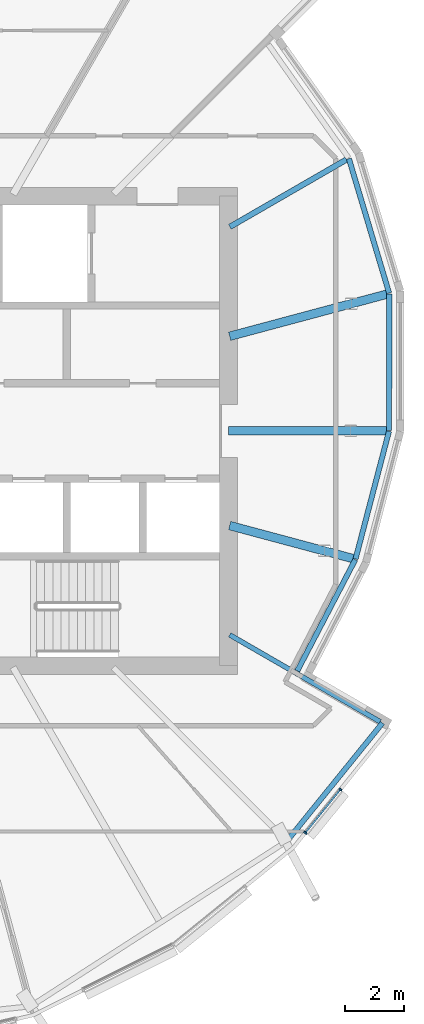
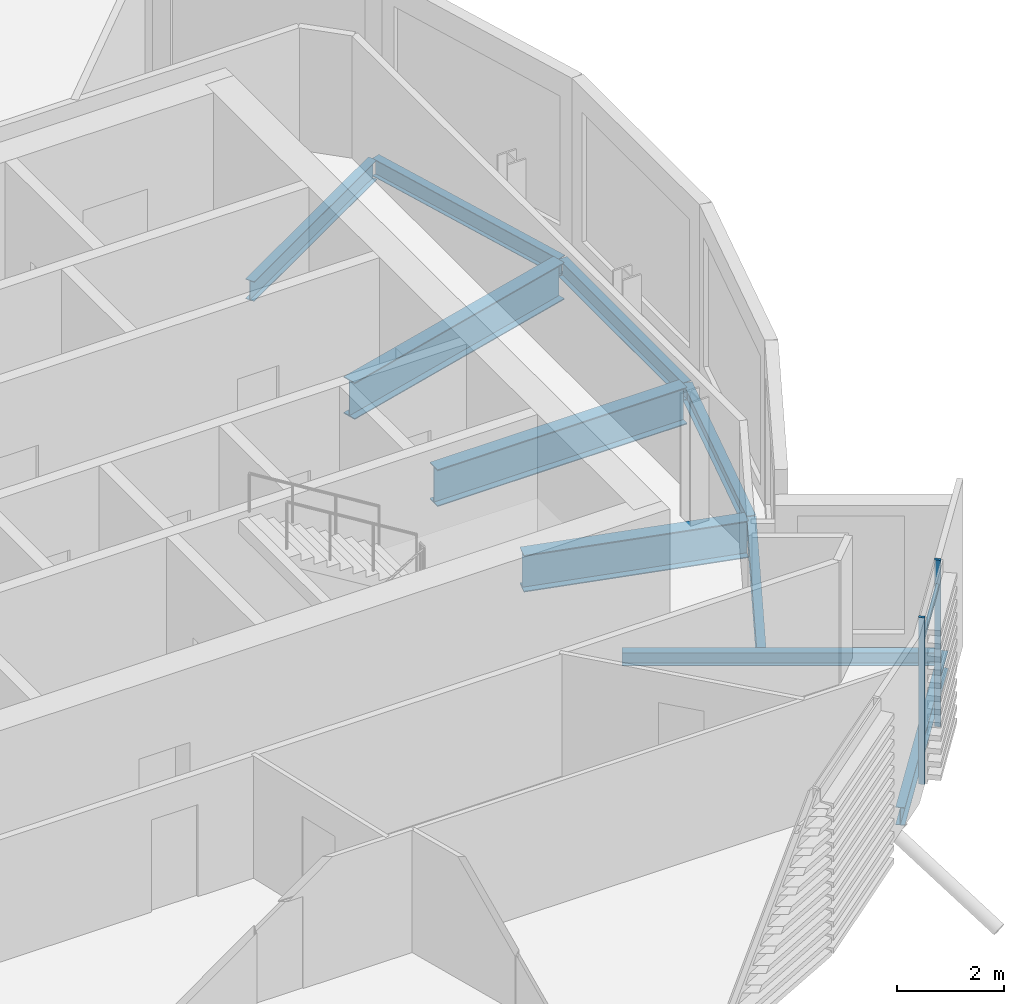
# One storey, part 15 of 37: 10 beams, 3 members, 1 element without a shape of its own.
"""IFC4 building model written with IfcOpenShell, lengths in metres."""

import ifcopenshell
import ifcopenshell.guid

model = None  # the IFC model being written
_history = None  # IfcOwnerHistory: only IFC2X3 demands one
_inside = {}  # id of a spatial element -> (the spatial element, [elements in it])
_under = {}  # id of a project, library or spatial element -> (it, [spatial elements below it])
_declared = {}  # id of a project -> (the project, [libraries it declares])
_typed = {}  # id of a type object -> (the type object, [elements of that type])
_made_of = {}  # id of a material, layer set ... -> (it, [elements and type objects made of it])


def new_model(schema):
    """Start an empty IFC model of exactly this schema.

    Asked for "IFC4X3", IfcOpenShell would pick the latest addendum, in which some entities
    have other attributes; the version numbers below select the first issue.
    IFC2X3 requires an IfcOwnerHistory on every rooted entity: one is made here for all.
    """
    global model, _history
    if schema == "IFC4X3":
        model = ifcopenshell.file(schema_version=(4, 3, 0, 0))
    else:
        model = ifcopenshell.file(schema=schema)
    _inside.clear()
    _under.clear()
    _declared.clear()
    _typed.clear()
    _made_of.clear()
    _history = None
    if model.schema == "IFC2X3":
        org = make("IfcOrganization", Name="unknown")
        user = make(
            "IfcPersonAndOrganization",
            ThePerson=make("IfcPerson", FamilyName="unknown"),
            TheOrganization=org,
        )
        app = make(
            "IfcApplication",
            ApplicationDeveloper=org,
            Version="unknown",
            ApplicationFullName="unknown",
            ApplicationIdentifier="unknown",
        )
        _history = make(
            "IfcOwnerHistory",
            OwningUser=user,
            OwningApplication=app,
            ChangeAction="ADDED",
            CreationDate=0,
        )
    return model


def make(cls, **values):
    """One entity of the class cls with the attributes given. An attribute that is None is left unset."""
    return model.create_entity(
        cls, **{name: value for name, value in values.items() if value is not None}
    )


def rooted(cls, **values):
    """An entity with a GlobalId (a new one), such as an element, a storey or a relation."""
    return make(cls, GlobalId=ifcopenshell.guid.new(), OwnerHistory=_history, **values)


def si_unit(unit_type, name, prefix=None):
    """IfcSIUnit, for example si_unit("LENGTHUNIT", "METRE", prefix="MILLI")."""
    return make("IfcSIUnit", UnitType=unit_type, Prefix=prefix, Name=name)


def assignment(units):
    """IfcUnitAssignment: the units of a project."""
    return None if units is None else make("IfcUnitAssignment", Units=units)


def point(xyz):
    """IfcCartesianPoint."""
    return None if xyz is None else make("IfcCartesianPoint", Coordinates=xyz)


def direction(xyz):
    """IfcDirection."""
    return None if xyz is None else make("IfcDirection", DirectionRatios=xyz)


def frame(location, z_axis=None, x_axis=None):
    """IfcAxis2Placement3D, a coordinate frame: its origin and axes. An axis left out is left unset."""
    return make(
        "IfcAxis2Placement3D",
        Location=point(location),
        Axis=direction(z_axis),
        RefDirection=direction(x_axis),
    )


def frame_2d(location, x_axis=None):
    """IfcAxis2Placement2D, a coordinate frame in the plane: its origin and x axis."""
    return make(
        "IfcAxis2Placement2D", Location=point(location), RefDirection=direction(x_axis)
    )


def origin():
    """The frame at (0, 0, 0) with its axes left unset."""
    return frame((0.0, 0.0, 0.0))


def origin_2d():
    """The frame at (0, 0) in the plane with its x axis left unset."""
    return frame_2d((0.0, 0.0))


def place(relative_to, where):
    """IfcLocalPlacement: puts the frame where relative to a parent placement (None: the world)."""
    return make(
        "IfcLocalPlacement", PlacementRelTo=relative_to, RelativePlacement=where
    )


def context(
    kind, dimensions, precision=None, world=None, true_north=None, identifier=None
):
    """IfcGeometricRepresentationContext, for example the 3D "Model" context."""
    return make(
        "IfcGeometricRepresentationContext",
        ContextIdentifier=identifier,
        ContextType=kind,
        CoordinateSpaceDimension=dimensions,
        Precision=precision,
        WorldCoordinateSystem=world,
        TrueNorth=true_north,
    )


def subcontext(parent, identifier, kind, view, scale=None):
    """IfcGeometricRepresentationSubContext, for example "Body" below "Model"."""
    return make(
        "IfcGeometricRepresentationSubContext",
        ContextIdentifier=identifier,
        ContextType=kind,
        ParentContext=parent,
        TargetScale=scale,
        TargetView=view,
    )


def project(units=None, contexts=None):
    """IfcProject with its units and contexts."""
    return rooted(
        "IfcProject",
        Name="project",
        RepresentationContexts=contexts,
        UnitsInContext=assignment(units),
    )


def spatial(cls, under=None, at=None, **own):
    """A site, building, storey or space (cls), placed at a placement, below another one or the project."""
    s = rooted(cls, ObjectPlacement=at, **own)
    if under is not None:
        _under.setdefault(under.id(), (under, []))[1].append(s)
    return s


def profile(cls, at=None, kind="AREA", **sizes):
    """A parametric profile (cls). Its sizes go by their IFC names, for example OverallWidth=200.0."""
    return make(cls, ProfileType=kind, Position=at, **sizes)


def rectangle(**sizes):
    """IfcRectangleProfileDef."""
    return profile("IfcRectangleProfileDef", **sizes)


def i_section(**sizes):
    """IfcIShapeProfileDef."""
    return profile("IfcIShapeProfileDef", **sizes)


def extrude(swept, where, along, depth):
    """IfcExtrudedAreaSolid: the profile swept, set in the frame where, extruded along a direction by depth."""
    return make(
        "IfcExtrudedAreaSolid",
        SweptArea=swept,
        Position=where,
        ExtrudedDirection=direction(along),
        Depth=depth,
    )


def shape(context_of_items, identifier, shape_type, items):
    """IfcShapeRepresentation: the items that make up one representation, for example the "Body"."""
    return make(
        "IfcShapeRepresentation",
        ContextOfItems=context_of_items,
        RepresentationIdentifier=identifier,
        RepresentationType=shape_type,
        Items=items,
    )


def material(Name=None, Category=None):
    """IfcMaterial."""
    return make("IfcMaterial", Name=Name, Category=Category)


def material_profile(
    of_material, cross_section, Name=None, Category=None, Priority=None
):
    """IfcMaterialProfile: a cross section and its material."""
    return make(
        "IfcMaterialProfile",
        Name=Name,
        Material=of_material,
        Profile=cross_section,
        Priority=Priority,
        Category=Category,
    )


def profile_set(profiles, Name=None, composite=None):
    """IfcMaterialProfileSet."""
    return make(
        "IfcMaterialProfileSet",
        Name=Name,
        MaterialProfiles=profiles,
        CompositeProfile=composite,
    )


def made_of(thing, what):
    """Note that an element or type object is made of a material, layer set ...; save() writes the relation."""
    if what is not None:
        _made_of.setdefault(what.id(), (what, []))[1].append(thing)
    return thing


def type_object(cls, material=None, **own):
    """A type object (cls), such as IfcWallType, which elements share."""
    return made_of(rooted(cls, **own), material)


def element(
    cls,
    number,
    at=None,
    inside=None,
    cuts=None,
    type_object=None,
    material=None,
    context=None,
    identifier="Body",
    shape_type=None,
    held_by="IfcProductDefinitionShape",
    body=None,
    shapes=None,
    **own,
):
    """One element of the class cls, such as IfcWall. Its Tag is "e" and its number.

    at: its placement. inside: the storey or other place that contains it. cuts: it is an
    opening in that element (IfcRelVoidsElement). A single representation is given by context,
    identifier, shape_type and body (its items); several are given by shapes. held_by: the class
    of the entity that holds the representations. save() writes the other relations.
    """
    e = rooted(cls, Tag="e%d" % number, ObjectPlacement=at, **own)
    if body is not None:
        shapes = [shape(context, identifier, shape_type, body)]
    if shapes is not None:
        e.Representation = make(held_by, Representations=shapes)
    if inside is not None:
        _inside.setdefault(inside.id(), (inside, []))[1].append(e)
    if cuts is not None:
        rooted(
            "IfcRelVoidsElement", RelatingBuildingElement=cuts, RelatedOpeningElement=e
        )
    if type_object is not None:
        _typed.setdefault(type_object.id(), (type_object, []))[1].append(e)
    return made_of(e, material)


def aggregate(whole, parts):
    """IfcRelAggregates: a whole, such as a stair, and the parts it consists of."""
    return rooted("IfcRelAggregates", RelatingObject=whole, RelatedObjects=parts)


def save(model, path):
    """Write the relations noted so far, then the file.

    IfcRelAggregates (storeys below a building ...), IfcRelContainedInSpatialStructure (elements
    in a storey), IfcRelDefinesByType, IfcRelAssociatesMaterial and IfcRelDeclares: one each for
    every whole, place, type object, material and project.
    """
    for whole, parts in _under.values():
        aggregate(whole, parts)
    for where, things in _inside.values():
        rooted(
            "IfcRelContainedInSpatialStructure",
            RelatedElements=things,
            RelatingStructure=where,
        )
    for kind, things in _typed.values():
        rooted("IfcRelDefinesByType", RelatedObjects=things, RelatingType=kind)
    for what, things in _made_of.values():
        rooted("IfcRelAssociatesMaterial", RelatedObjects=things, RelatingMaterial=what)
    for by, libraries in _declared.values():
        rooted("IfcRelDeclares", RelatingContext=by, RelatedDefinitions=libraries)
    model.write(path)


model = new_model("IFC4")

# Units and contexts
model_context = context("Model", 3, precision=1e-05, world=origin(), true_north=direction((0.0, 1.0)))
body_context = subcontext(model_context, "Body", "Model", "MODEL_VIEW")
ifc_project = project(units=[si_unit("LENGTHUNIT", "METRE"), si_unit("AREAUNIT", "SQUARE_METRE"), si_unit("VOLUMEUNIT", "CUBIC_METRE"), si_unit("PLANEANGLEUNIT", "RADIAN"), si_unit("MASSUNIT", "GRAM", prefix="KILO")], contexts=[model_context])

# Site, building, storey
site_placement = place(None, origin())
site = spatial("IfcSite", under=ifc_project, at=site_placement, CompositionType="ELEMENT")
building_placement = place(site_placement, origin())
building = spatial("IfcBuilding", under=site, at=building_placement, Name="Rimbun Link Towers", CompositionType="ELEMENT")
storey_placement = place(building_placement, frame((0.0, 0.0, 162.699951171875)))
storey = spatial("IfcBuildingStorey", under=building, at=storey_placement, Name="L39", CompositionType="ELEMENT", Elevation=162.699951171875)

# Curtain wall, members
ifc_material_1 = material(Name="Aluminium 6063-T6 and low-iron glass", Category="aluminium")
curtain_wall_type = type_object("IfcCurtainWallType", Name="CW1-Z3 unitised vision wall (zone 3)", PredefinedType="NOTDEFINED", material=ifc_material_1)
curtain_wall_placement = place(storey_placement, origin())
curtain_wall = element("IfcCurtainWall", 1, at=curtain_wall_placement, inside=storey, type_object=curtain_wall_type, Name="CW1 L39 T2", PredefinedType="NOTDEFINED")
ifc_material_2 = material(Name="Aluminium 6063-T6", Category="aluminium")
ifc_material_profile_1 = material_profile(ifc_material_2, rectangle(XDim=0.1201171875, YDim=0.06005859375, at=origin_2d()), Name="MULLION 60X120")
ifc_profile_set_1 = profile_set([ifc_material_profile_1], Name="Aluminium 6063-T6")
member_type_1 = type_object("IfcMemberType", Name="CW1 mullion 60X120", PredefinedType="MULLION", material=ifc_profile_set_1)
member_1_placement = place(storey_placement, frame((47.565185546875, -12.22119140625, 0.0), z_axis=(0.0, 0.0, 1.0), x_axis=(0.777268827061, -0.629168634373, 0.0)))
member_1 = element("IfcMember", 2, at=member_1_placement, type_object=member_type_1, Name="CW1 mullion", PredefinedType="MULLION", context=body_context, shape_type="SweptSolid", body=[
    extrude(rectangle(XDim=0.1201171875, YDim=0.06005859375, at=origin_2d()), origin(), (0.0, 0.0, 1.0), 3.800048828125),
])
member_2_placement = place(storey_placement, frame((46.370361328125, -13.697265625, 0.0), z_axis=(0.0, 0.0, 1.0), x_axis=(0.777268827061, -0.629168634373, 0.0)))
member_2 = element("IfcMember", 3, at=member_2_placement, type_object=member_type_1, Name="CW1 mullion", PredefinedType="MULLION", context=body_context, shape_type="SweptSolid", body=[
    extrude(rectangle(XDim=0.1201171875, YDim=0.06005859375, at=origin_2d()), origin(), (0.0, 0.0, 1.0), 3.800048828125),
])
ifc_material_3 = material(Name="Aluminium 6063-T6", Category="aluminium")
ifc_material_profile_2 = material_profile(ifc_material_3, rectangle(XDim=0.06005859375, YDim=0.1201171875, at=origin_2d()), Name="TRANSOM 60X120")
ifc_profile_set_2 = profile_set([ifc_material_profile_2], Name="Aluminium 6063-T6")
member_type_2 = type_object("IfcMemberType", Name="CW1 transom 60X120", PredefinedType="USERDEFINED", material=ifc_profile_set_2)
member_3_placement = place(storey_placement, frame((47.544921875, -12.2431640625, 3.199951171875), z_axis=(-0.629152407562, -0.777281961748, 0.0), x_axis=(0.777281961748, -0.629152407562, 0.0)))
member_3 = element("IfcMember", 4, at=member_3_placement, type_object=member_type_2, Name="CW1 transom", ObjectType="TRANSOM", PredefinedType="USERDEFINED", context=body_context, shape_type="SweptSolid", body=[
    extrude(rectangle(XDim=0.06005859375, YDim=0.1201171875, at=origin_2d()), origin(), (0.0, 0.0, 1.0), 1.83935546875),
])
aggregate(curtain_wall, [member_1, member_2, member_3])

# Beams
ifc_material_4 = material(Name="Steel S355J2", Category="steel")
ifc_material_profile_3 = material_profile(ifc_material_4, i_section(OverallWidth=0.1650390625, OverallDepth=0.303466796875, WebThickness=0.006103515625, FlangeThickness=0.01025390625, at=origin_2d()), Name="UB 305x165x40")
ifc_profile_set_3 = profile_set([ifc_material_profile_3], Name="Steel S355J2")
beam_type_1 = type_object("IfcBeamType", Name="UB 305x165x40", PredefinedType="BEAM", material=ifc_profile_set_3)
beam_1_placement = place(storey_placement, frame((43.7919921875, -6.952392578125, -0.3017578125), z_axis=(0.86602420747, -0.500002072072, 0.0), x_axis=(0.500002072072, 0.86602420747, 0.0)))
element("IfcBeam", 5, at=beam_1_placement, inside=storey, type_object=beam_type_1, Name="Radial beam T2 L39 19", PredefinedType="BEAM", context=body_context, shape_type="SweptSolid", body=[
    extrude(i_section(OverallWidth=0.1650390625, OverallDepth=0.303466796875, WebThickness=0.006103515625, FlangeThickness=0.01025390625, at=origin_2d()), origin(), (0.0, 0.0, 1.0), 5.92041015625),
])
ifc_material_5 = material(Name="Steel S355J2", Category="steel")
ifc_material_profile_4 = material_profile(ifc_material_5, i_section(OverallWidth=0.177978515625, OverallDepth=0.406494140625, WebThickness=0.0078125, FlangeThickness=0.0126953125, at=origin_2d()), Name="UB 406x178x60")
ifc_profile_set_4 = profile_set([ifc_material_profile_4], Name="Steel S355J2")
beam_type_2 = type_object("IfcBeamType", Name="UB 406x178x60", PredefinedType="BEAM", material=ifc_profile_set_4)
beam_2_placement = place(storey_placement, frame((45.73779296875, -13.986328125, -0.353271484375), z_axis=(0.629144007055, 0.777288761263, 0.0), x_axis=(-0.777288761263, 0.629144007055, 0.0)))
element("IfcBeam", 6, at=beam_2_placement, inside=storey, type_object=beam_type_2, Name="Edge beam T2 L39 18", PredefinedType="BEAM", context=body_context, shape_type="SweptSolid", body=[
    extrude(i_section(OverallWidth=0.177978515625, OverallDepth=0.406494140625, WebThickness=0.0078125, FlangeThickness=0.0126953125, at=origin_2d()), origin(), (0.0, 0.0, 1.0), 5.18115234375),
])
beam_3_placement = place(storey_placement, frame((46.093994140625, -8.1806640625, -0.353271484375), z_axis=(0.462320393807, 0.886712948744, 0.0), x_axis=(-0.886712948744, 0.462320393807, 0.0)))
element("IfcBeam", 7, at=beam_3_placement, inside=storey, type_object=beam_type_2, Name="Edge beam T2 L39 19 recess", PredefinedType="BEAM", context=body_context, shape_type="SweptSolid", body=[
    extrude(i_section(OverallWidth=0.177978515625, OverallDepth=0.406494140625, WebThickness=0.0078125, FlangeThickness=0.0126953125, at=origin_2d()), origin(), (0.0, 0.0, 1.0), 4.280517578125),
])
beam_4_placement = place(storey_placement, frame((48.080810546875, -4.364501953125, -0.353271484375), z_axis=(0.253347301705, 0.967375389763, 0.0), x_axis=(-0.967375389763, 0.253347301705, 0.0)))
element("IfcBeam", 8, at=beam_4_placement, inside=storey, type_object=beam_type_2, Name="Edge beam T2 L39 20 recess", PredefinedType="BEAM", context=body_context, shape_type="SweptSolid", body=[
    extrude(i_section(OverallWidth=0.177978515625, OverallDepth=0.406494140625, WebThickness=0.0078125, FlangeThickness=0.0126953125, at=origin_2d()), origin(), (0.0, 0.0, 1.0), 4.499267578125),
])
beam_5_placement = place(storey_placement, frame((49.223876953125, 0.012451171875, -0.353271484375), z_axis=(0.001205765834, 0.999999273064, 0.0), x_axis=(-0.999999273064, 0.001205765834, 0.0)))
element("IfcBeam", 9, at=beam_5_placement, inside=storey, type_object=beam_type_2, Name="Edge beam T2 L39 21 recess", PredefinedType="BEAM", context=body_context, shape_type="SweptSolid", body=[
    extrude(i_section(OverallWidth=0.177978515625, OverallDepth=0.406494140625, WebThickness=0.0078125, FlangeThickness=0.0126953125, at=origin_2d()), origin(), (0.0, 0.0, 1.0), 4.656982421875),
])
beam_6_placement = place(storey_placement, frame((49.225341796875, 4.697021484375, -0.353271484375), z_axis=(-0.286603367153, 0.95804932542, 0.0), x_axis=(-0.95804932542, -0.286603367153, 0.0)))
element("IfcBeam", 10, at=beam_6_placement, inside=storey, type_object=beam_type_2, Name="Edge beam T2 L39 22 recess", PredefinedType="BEAM", context=body_context, shape_type="SweptSolid", body=[
    extrude(i_section(OverallWidth=0.177978515625, OverallDepth=0.406494140625, WebThickness=0.0078125, FlangeThickness=0.0126953125, at=origin_2d()), origin(), (0.0, 0.0, 1.0), 4.783935546875),
])
ifc_material_6 = material(Name="Steel S355J2", Category="steel")
ifc_material_profile_5 = material_profile(ifc_material_6, i_section(OverallWidth=0.18994140625, OverallDepth=0.453369140625, WebThickness=0.008544921875, FlangeThickness=0.0126953125, at=origin_2d()), Name="UB 457x191x67")
ifc_profile_set_5 = profile_set([ifc_material_profile_5], Name="Steel S355J2")
beam_type_3 = type_object("IfcBeamType", Name="UB 457x191x67", PredefinedType="BEAM", material=ifc_profile_set_5)
beam_7_placement = place(storey_placement, frame((43.79833984375, 6.9560546875, -0.376708984375), z_axis=(0.866034058835, 0.499985008713, 0.0), x_axis=(-0.499985008713, 0.866034058835, 0.0)))
element("IfcBeam", 11, at=beam_7_placement, inside=storey, type_object=beam_type_3, Name="Radial beam T2 L39 23", PredefinedType="BEAM", context=body_context, shape_type="SweptSolid", body=[
    extrude(i_section(OverallWidth=0.18994140625, OverallDepth=0.453369140625, WebThickness=0.008544921875, FlangeThickness=0.0126953125, at=origin_2d()), origin(), (0.0, 0.0, 1.0), 4.588134765625),
])
ifc_material_7 = material(Name="Steel S355J2", Category="steel")
ifc_material_profile_6 = material_profile(ifc_material_7, i_section(OverallWidth=0.29248046875, OverallDepth=0.8408203125, WebThickness=0.0126953125, FlangeThickness=0.021728515625, at=origin_2d()), Name="UB 838x292x194")
ifc_profile_set_6 = profile_set([ifc_material_profile_6], Name="Steel S355J2")
beam_type_4 = type_object("IfcBeamType", Name="UB 838x292x194", PredefinedType="BEAM", material=ifc_profile_set_6)
beam_8_placement = place(storey_placement, frame((43.788818359375, -3.225830078125, -0.5703125), z_axis=(0.965921245868, -0.258836138861, 0.0), x_axis=(0.258836138861, 0.965921245868, 0.0)))
element("IfcBeam", 12, at=beam_8_placement, inside=storey, type_object=beam_type_4, Name="Radial beam T2 L39 20", PredefinedType="BEAM", context=body_context, shape_type="SweptSolid", body=[
    extrude(i_section(OverallWidth=0.29248046875, OverallDepth=0.8408203125, WebThickness=0.0126953125, FlangeThickness=0.021728515625, at=origin_2d()), origin(), (0.0, 0.0, 1.0), 4.35009765625),
])
beam_9_placement = place(storey_placement, frame((43.7509765625, 0.0, -0.5703125), z_axis=(1.0, 0.0, 0.0), x_axis=(0.0, 1.0, 0.0)))
element("IfcBeam", 13, at=beam_9_placement, inside=storey, type_object=beam_type_4, Name="Radial beam T2 L39 21", PredefinedType="BEAM", context=body_context, shape_type="SweptSolid", body=[
    extrude(i_section(OverallWidth=0.29248046875, OverallDepth=0.8408203125, WebThickness=0.0126953125, FlangeThickness=0.021728515625, at=origin_2d()), origin(), (0.0, 0.0, 1.0), 5.38232421875),
])
beam_10_placement = place(storey_placement, frame((43.788818359375, 3.225830078125, -0.5703125), z_axis=(0.965929371755, 0.258805812882, 0.0), x_axis=(-0.258805812882, 0.965929371755, 0.0)))
element("IfcBeam", 14, at=beam_10_placement, inside=storey, type_object=beam_type_4, Name="Radial beam T2 L39 22", PredefinedType="BEAM", context=body_context, shape_type="SweptSolid", body=[
    extrude(i_section(OverallWidth=0.29248046875, OverallDepth=0.8408203125, WebThickness=0.0126953125, FlangeThickness=0.021728515625, at=origin_2d()), origin(), (0.0, 0.0, 1.0), 5.5419921875),
])

save(model, "model.ifc")
